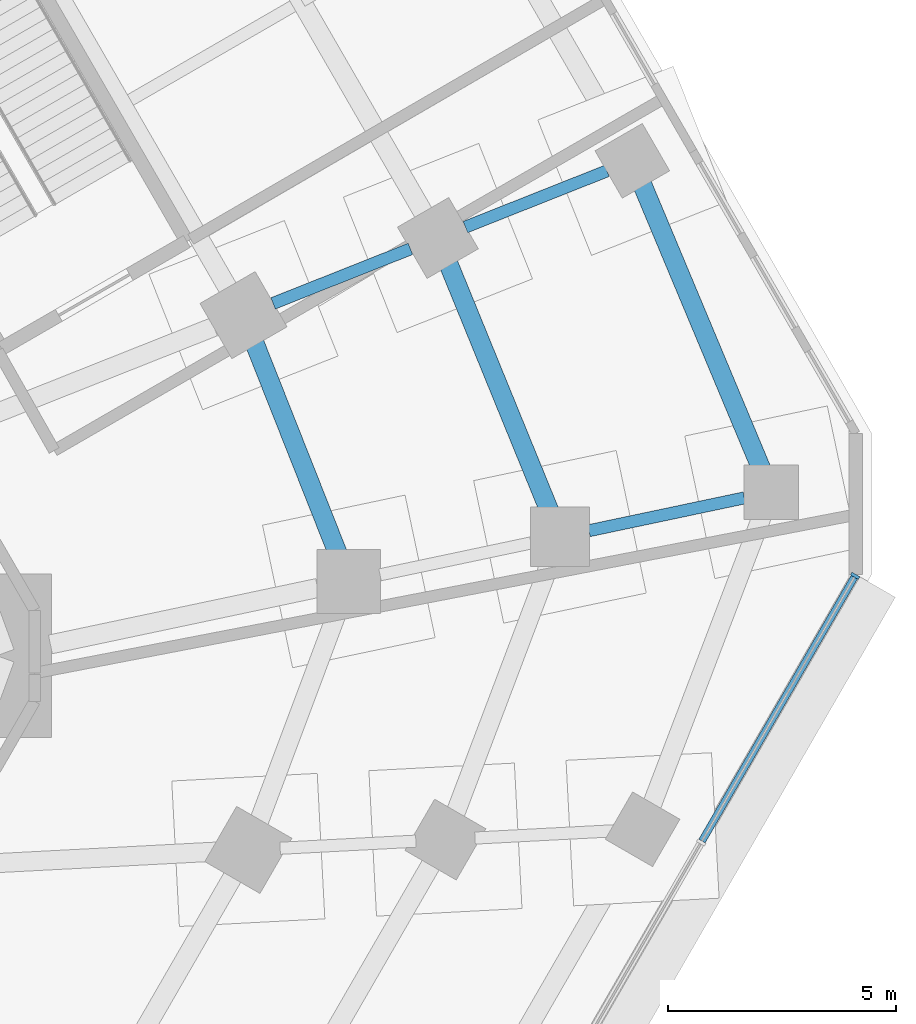
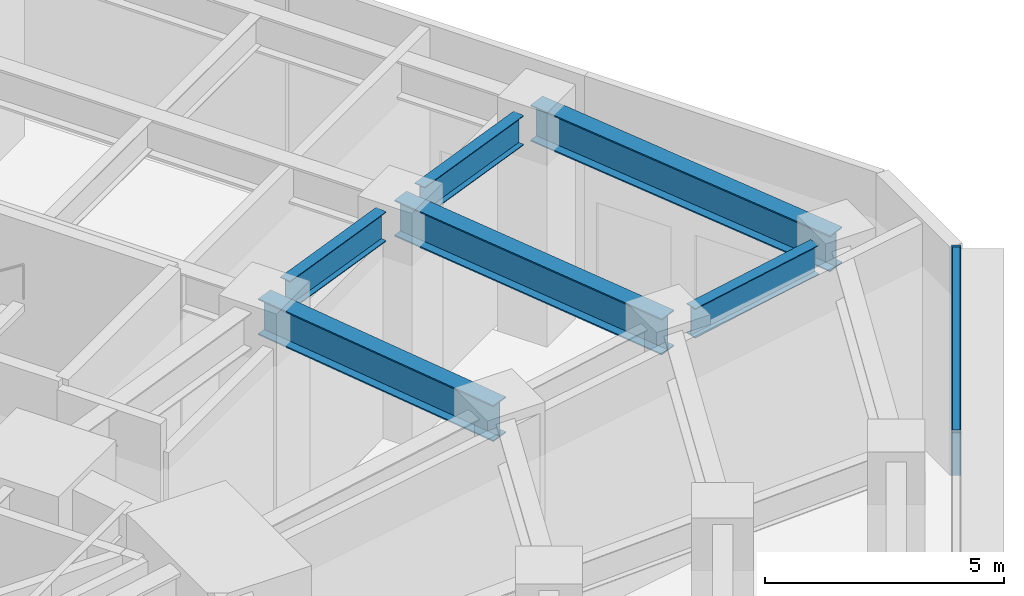
# One storey, part 12 of 34: 6 beams, 2 members, 1 element without a shape of its own.
"""IFC4 building model written with IfcOpenShell, lengths in metres."""

from ifc_helpers import new_model, si_unit, direction, frame, origin, origin_2d, place, context, subcontext, project, spatial, rectangle, i_section, extrude, material, material_profile, profile_set, type_object, element, aggregate, save


model = new_model("IFC4")

# Units and contexts
model_context = context("Model", 3, precision=1e-05, world=origin(), true_north=direction((0.0, 1.0)))
body_context = subcontext(model_context, "Body", "Model", "MODEL_VIEW")
ifc_project = project(units=[si_unit("LENGTHUNIT", "METRE"), si_unit("AREAUNIT", "SQUARE_METRE"), si_unit("VOLUMEUNIT", "CUBIC_METRE"), si_unit("PLANEANGLEUNIT", "RADIAN"), si_unit("MASSUNIT", "GRAM", prefix="KILO")], contexts=[model_context])

# Site, building, storey
site_placement = place(None, origin())
site = spatial("IfcSite", under=ifc_project, at=site_placement, CompositionType="ELEMENT")
building_placement = place(site_placement, origin())
building = spatial("IfcBuilding", under=site, at=building_placement, Name="Sandreach Pilgrim Tower", CompositionType="ELEMENT")
storey_placement = place(building_placement, origin())
storey = spatial("IfcBuildingStorey", under=building, at=storey_placement, Name="L00", CompositionType="ELEMENT", Elevation=0.0)

# Curtain wall, members
ifc_material_1 = material(Name="Aluminium framed curtain wall", Category="aluminium")
curtain_wall_type = type_object("IfcCurtainWallType", Name="Podium storefront curtain wall", PredefinedType="NOTDEFINED", material=ifc_material_1)
curtain_wall_placement = place(storey_placement, origin())
curtain_wall = element("IfcCurtainWall", 1, at=curtain_wall_placement, inside=storey, type_object=curtain_wall_type, Name="CW-P L00 SEA", PredefinedType="NOTDEFINED")
ifc_material_2 = material(Name="Aluminium extrusion", Category="aluminium")
ifc_material_profile_1 = material_profile(ifc_material_2, rectangle(XDim=0.070068359375, YDim=0.199951171875, at=origin_2d()), Name="CW-PM 70X200")
ifc_profile_set_1 = profile_set([ifc_material_profile_1], Name="Aluminium extrusion")
member_type_1 = type_object("IfcMemberType", Name="CW-P mullion", PredefinedType="MULLION", material=ifc_profile_set_1)
member_1_placement = place(storey_placement, frame((47.566162109375, 7.816162109375, 0.0), z_axis=(0.0, 0.0, 1.0), x_axis=(-0.5, -0.866025403784, 0.0)))
member_1 = element("IfcMember", 2, at=member_1_placement, type_object=member_type_1, Name="CW-P mullion 1", PredefinedType="MULLION", context=body_context, shape_type="SweptSolid", body=[
    extrude(rectangle(XDim=0.070068359375, YDim=0.199951171875, at=origin_2d()), origin(), (0.0, 0.0, 1.0), 5.840087890625),
])
ifc_material_3 = material(Name="Aluminium extrusion", Category="aluminium")
ifc_material_profile_2 = material_profile(ifc_material_3, rectangle(XDim=0.159912109375, YDim=0.070068359375, at=origin_2d()), Name="CW-PT 160X70")
ifc_profile_set_2 = profile_set([ifc_material_profile_2], Name="Aluminium extrusion")
member_type_2 = type_object("IfcMemberType", Name="CW-P transom", PredefinedType="USERDEFINED", material=ifc_profile_set_2)
member_2_placement = place(storey_placement, frame((47.548583984375, 7.78564453125, 5.804931640625), z_axis=(-0.499996150425, -0.866027626326, 0.0), x_axis=(0.866027626326, -0.499996150425, 0.0)))
member_2 = element("IfcMember", 3, at=member_2_placement, type_object=member_type_2, Name="CW-P head transom 1", ObjectType="TRANSOM", PredefinedType="USERDEFINED", context=body_context, shape_type="SweptSolid", body=[
    extrude(rectangle(XDim=0.159912109375, YDim=0.070068359375, at=origin_2d()), origin(), (0.0, 0.0, 1.0), 6.69189453125),
])
aggregate(curtain_wall, [member_1, member_2])

# Beams
ifc_material_4 = material(Name="Steel ASTM A992 Grade 50", Category="steel")
ifc_material_profile_3 = material_profile(ifc_material_4, i_section(OverallWidth=0.2666015625, OverallDepth=0.7568359375, WebThickness=0.013916015625, FlangeThickness=0.019287109375, at=origin_2d()), Name="W30X108")
ifc_profile_set_3 = profile_set([ifc_material_profile_3], Name="Steel ASTM A992 Grade 50")
beam_type_1 = type_object("IfcBeamType", Name="Podium beam W30X108", PredefinedType="BEAM", material=ifc_profile_set_3)
beam_1_placement = place(storey_placement, frame((34.77978515625, 13.802001953125, 5.46142578125), z_axis=(0.929469422861, 0.368899162327, 0.0), x_axis=(-0.368899162327, 0.929469422861, 0.0)))
element("IfcBeam", 4, at=beam_1_placement, inside=storey, type_object=beam_type_1, Name="BM L00 PR140-12", PredefinedType="BEAM", context=body_context, shape_type="SweptSolid", body=[
    extrude(i_section(OverallWidth=0.2666015625, OverallDepth=0.7568359375, WebThickness=0.013916015625, FlangeThickness=0.019287109375, at=origin_2d()), origin(), (0.0, 0.0, 1.0), 3.24560546875),
])
beam_2_placement = place(storey_placement, frame((39.004638671875, 15.478759765625, 5.37158203125), z_axis=(0.929489916856, 0.368847521969, 0.0), x_axis=(-0.368847521969, 0.929489916856, 0.0)))
element("IfcBeam", 5, at=beam_2_placement, inside=storey, type_object=beam_type_1, Name="BM L00 PR155-12", PredefinedType="BEAM", context=body_context, shape_type="SweptSolid", body=[
    extrude(i_section(OverallWidth=0.2666015625, OverallDepth=0.7568359375, WebThickness=0.013916015625, FlangeThickness=0.019287109375, at=origin_2d()), origin(), (0.0, 0.0, 1.0), 3.34521484375),
])
beam_3_placement = place(storey_placement, frame((41.7177734375, 8.807861328125, 5.37158203125), z_axis=(0.978423445555, 0.206609683192, 0.0), x_axis=(-0.206609683192, 0.978423445555, 0.0)))
element("IfcBeam", 6, at=beam_3_placement, inside=storey, type_object=beam_type_1, Name="BM L00 PR155-13", PredefinedType="BEAM", context=body_context, shape_type="SweptSolid", body=[
    extrude(i_section(OverallWidth=0.2666015625, OverallDepth=0.7568359375, WebThickness=0.013916015625, FlangeThickness=0.019287109375, at=origin_2d()), origin(), (0.0, 0.0, 1.0), 3.490478515625),
])
ifc_material_5 = material(Name="Steel ASTM A992 Grade 50", Category="steel")
ifc_material_profile_4 = material_profile(ifc_material_5, i_section(OverallWidth=0.419189453125, OverallDepth=0.927001953125, WebThickness=0.019287109375, FlangeThickness=0.031982421875, at=origin_2d()), Name="W36X231")
ifc_profile_set_4 = profile_set([ifc_material_profile_4], Name="Steel ASTM A992 Grade 50")
beam_type_2 = type_object("IfcBeamType", Name="Podium edge beam W36X231", PredefinedType="BEAM", material=ifc_profile_set_4)
beam_4_placement = place(storey_placement, frame((34.129150390625, 13.5439453125, 5.37646484375), z_axis=(0.367875090732, -0.929875216155, 0.0), x_axis=(0.929875216155, 0.367875090732, 0.0)))
element("IfcBeam", 7, at=beam_4_placement, inside=storey, type_object=beam_type_2, Name="BM L00 PE125-12", PredefinedType="BEAM", context=body_context, shape_type="SweptSolid", body=[
    extrude(i_section(OverallWidth=0.419189453125, OverallDepth=0.927001953125, WebThickness=0.019287109375, FlangeThickness=0.031982421875, at=origin_2d()), origin(), (0.0, 0.0, 1.0), 6.290771484375),
])
beam_5_placement = place(storey_placement, frame((38.400390625, 15.239013671875, 5.37646484375), z_axis=(0.378093917768, -0.925767243613, 0.0), x_axis=(0.925767243613, 0.378093917768, 0.0)))
element("IfcBeam", 8, at=beam_5_placement, inside=storey, type_object=beam_type_2, Name="BM L00 PE140-12", PredefinedType="BEAM", context=body_context, shape_type="SweptSolid", body=[
    extrude(i_section(OverallWidth=0.419189453125, OverallDepth=0.927001953125, WebThickness=0.019287109375, FlangeThickness=0.031982421875, at=origin_2d()), origin(), (0.0, 0.0, 1.0), 7.091796875),
])
beam_6_placement = place(storey_placement, frame((42.671875, 16.93408203125, 5.286376953125), z_axis=(0.386189499603, -0.922419465534, 0.0), x_axis=(0.922419465534, 0.386189499603, 0.0)))
element("IfcBeam", 9, at=beam_6_placement, inside=storey, type_object=beam_type_2, Name="BM L00 PE155-12", PredefinedType="BEAM", context=body_context, shape_type="SweptSolid", body=[
    extrude(i_section(OverallWidth=0.419189453125, OverallDepth=0.927001953125, WebThickness=0.019287109375, FlangeThickness=0.031982421875, at=origin_2d()), origin(), (0.0, 0.0, 1.0), 7.893310546875),
])

save(model, "model.ifc")
